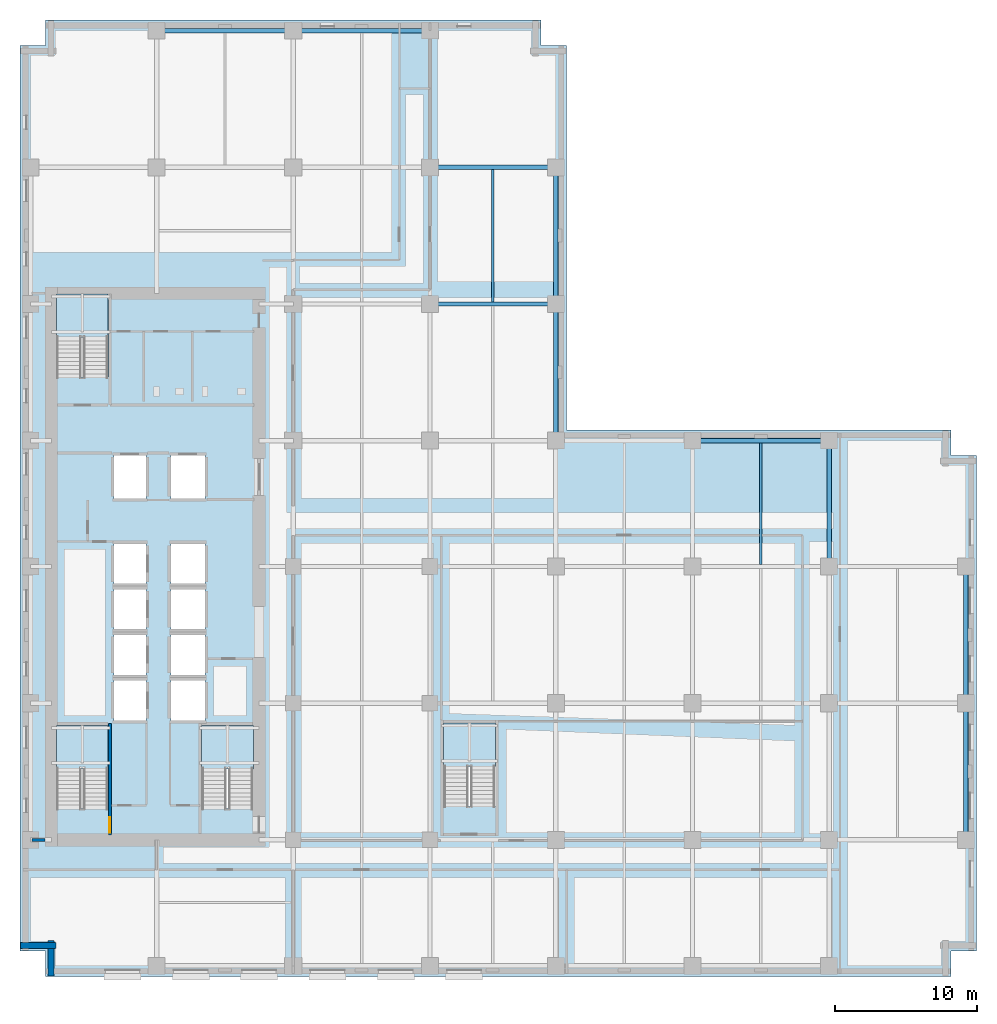
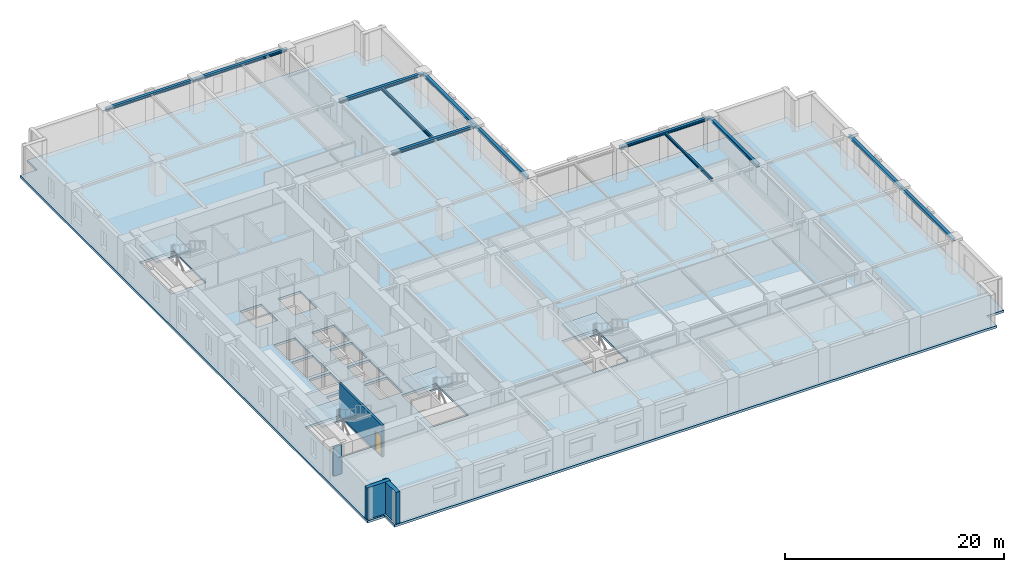
# One storey, part 3 of 14: 12 beams, 5 slabs, 4 walls, 1 door, 1 opening, 4 elements without a shape of their own.
"""IFC4 building model written with IfcOpenShell, lengths in metres."""

from ifc_helpers import new_model, si_unit, direction, frame, frame_2d, origin, origin_2d, place, context, subcontext, project, spatial, polyline, rectangle, i_section, outline, extrude, material, layer, layer_set, material_profile, profile_set, type_object, element, fill, aggregate, save


model = new_model("IFC4")

# Units and contexts
model_context = context("Model", 3, precision=1e-05, world=origin(), true_north=direction((0.0, 1.0)))
body_context = subcontext(model_context, "Body", "Model", "MODEL_VIEW")
ifc_project = project(units=[si_unit("LENGTHUNIT", "METRE"), si_unit("AREAUNIT", "SQUARE_METRE"), si_unit("VOLUMEUNIT", "CUBIC_METRE"), si_unit("PLANEANGLEUNIT", "RADIAN"), si_unit("MASSUNIT", "GRAM", prefix="KILO")], contexts=[model_context])

# Site, building, storey
site_placement = place(None, origin())
site = spatial("IfcSite", under=ifc_project, at=site_placement, CompositionType="ELEMENT")
building_placement = place(site_placement, origin())
building = spatial("IfcBuilding", under=site, at=building_placement, Name="Norrvale University Quadrangle", CompositionType="ELEMENT")
storey_placement = place(building_placement, frame((0.0, 0.0, 50.800048828125)))
storey = spatial("IfcBuildingStorey", under=building, at=storey_placement, Name="L12", CompositionType="ELEMENT", Elevation=50.800048828125)

# Beams
ifc_material_1 = material(Name="Steel 350W", Category="steel")
ifc_material_profile_1 = material_profile(ifc_material_1, i_section(OverallWidth=0.1669921875, OverallDepth=0.31689453125, WebThickness=0.007568359375, FlangeThickness=0.01318359375, FilletRadius=0.010009765625, at=origin_2d()), Name="Steel 350W")
ifc_profile_set_1 = profile_set([ifc_material_profile_1], Name="Steel 350W")
beam_type_1 = type_object("IfcBeamType", Name="Beam Canopy Purlin W310x52", PredefinedType="USERDEFINED", material=ifc_profile_set_1)
beam_1_placement = place(storey_placement, frame((33.22509765625, 47.402587890625, 3.38134765625), z_axis=(0.0, 1.0, 0.0), x_axis=(-1.0, 0.0, 0.0)))
element("IfcBeam", 1, at=beam_1_placement, inside=storey, type_object=beam_type_1, Name="Beam Canopy Purlin W310x52 BM-L12-J091", ObjectType="PURLIN", PredefinedType="USERDEFINED", context=body_context, shape_type="SweptSolid", body=[
    extrude(i_section(OverallWidth=0.1669921875, OverallDepth=0.31689453125, WebThickness=0.007568359375, FlangeThickness=0.01318359375, FilletRadius=0.010009765625, at=origin_2d()), origin(), (0.0, 0.0, 1.0), 9.294921875),
])
beam_2_placement = place(storey_placement, frame((52.050048828125, 28.952392578125, 3.38134765625), z_axis=(0.0, 1.0, 0.0), x_axis=(-1.0, 0.0, 0.0)))
element("IfcBeam", 2, at=beam_2_placement, inside=storey, type_object=beam_type_1, Name="Beam Canopy Purlin W310x52 BM-L12-J099", ObjectType="PURLIN", PredefinedType="USERDEFINED", context=body_context, shape_type="SweptSolid", body=[
    extrude(i_section(OverallWidth=0.1669921875, OverallDepth=0.31689453125, WebThickness=0.007568359375, FlangeThickness=0.01318359375, FilletRadius=0.010009765625, at=origin_2d()), origin(), (0.0, 0.0, 1.0), 8.545166015625),
])
ifc_material_profile_2 = material_profile(ifc_material_1, i_section(OverallWidth=0.304931640625, OverallDepth=0.30810546875, WebThickness=0.010009765625, FlangeThickness=0.015380859375, FilletRadius=0.014892578125, at=origin_2d()), Name="Steel 350W")
ifc_profile_set_2 = profile_set([ifc_material_profile_2], Name="Steel 350W")
beam_type_2 = type_object("IfcBeamType", Name="Beam Canopy W310x97", PredefinedType="BEAM", material=ifc_profile_set_2)
beam_3_placement = place(storey_placement, frame((47.25, 37.64990234375, 3.385986328125), z_axis=(1.0, 0.0, 0.0), x_axis=(0.0, 1.0, 0.0)))
element("IfcBeam", 3, at=beam_3_placement, inside=storey, type_object=beam_type_2, Name="Beam Canopy W310x97 BM-L12-GX024", PredefinedType="BEAM", context=body_context, shape_type="SweptSolid", body=[
    extrude(i_section(OverallWidth=0.304931640625, OverallDepth=0.30810546875, WebThickness=0.010009765625, FlangeThickness=0.015380859375, FilletRadius=0.014892578125, at=origin_2d()), origin(), (0.0, 0.0, 1.0), 9.60009765625),
])
for number, where, z_axis, x_axis, name in (
    (4, (28.800048828125, 47.25, 3.385986328125), (1.0, 0.0, 0.0), (0.0, 1.0, 0.0), "Beam Canopy W310x97 BM-L12-GX026"),
    (5, (28.800048828125, 56.85009765625, 3.385986328125), (1.0, 0.0, 0.0), (0.0, 1.0, 0.0), "Beam Canopy W310x97 BM-L12-GX030"),
):
    element("IfcBeam", number, at=place(storey_placement, frame(where, z_axis=z_axis, x_axis=x_axis)), inside=storey, type_object=beam_type_2, Name=name, PredefinedType="BEAM", context=body_context, shape_type="SweptSolid", body=[
        extrude(i_section(OverallWidth=0.304931640625, OverallDepth=0.30810546875, WebThickness=0.010009765625, FlangeThickness=0.015380859375, FilletRadius=0.014892578125, at=origin_2d()), origin(), (0.0, 0.0, 1.0), 8.849853515625),
    ])
beam_4_placement = place(storey_placement, frame((9.60009765625, 66.449951171875, 3.385986328125), z_axis=(1.0, 0.0, 0.0), x_axis=(0.0, 1.0, 0.0)))
element("IfcBeam", 6, at=beam_4_placement, inside=storey, type_object=beam_type_2, Name="Beam Canopy W310x97 BM-L12-GX031", PredefinedType="BEAM", context=body_context, shape_type="SweptSolid", body=[
    extrude(i_section(OverallWidth=0.304931640625, OverallDepth=0.30810546875, WebThickness=0.010009765625, FlangeThickness=0.015380859375, FilletRadius=0.014892578125, at=origin_2d()), origin(), (0.0, 0.0, 1.0), 9.599853515625),
])
for number, where, z_axis, x_axis, name in (
    (7, (19.199951171875, 66.449951171875, 3.385986328125), (1.0, 0.0, 0.0), (0.0, 1.0, 0.0), "Beam Canopy W310x97 BM-L12-GX032"),
    (8, (37.64990234375, 37.64990234375, 3.385986328125), (0.0, 1.0, 0.0), (-1.0, 0.0, 0.0), "Beam Canopy W310x97 BM-L12-GY057"),
    (9, (37.64990234375, 47.25, 3.385986328125), (0.0, 1.0, 0.0), (-1.0, 0.0, 0.0), "Beam Canopy W310x97 BM-L12-GY058"),
):
    element("IfcBeam", number, at=place(storey_placement, frame(where, z_axis=z_axis, x_axis=x_axis)), inside=storey, type_object=beam_type_2, Name=name, PredefinedType="BEAM", context=body_context, shape_type="SweptSolid", body=[
        extrude(i_section(OverallWidth=0.304931640625, OverallDepth=0.30810546875, WebThickness=0.010009765625, FlangeThickness=0.015380859375, FilletRadius=0.014892578125, at=origin_2d()), origin(), (0.0, 0.0, 1.0), 9.60009765625),
    ])
beam_5_placement = place(storey_placement, frame((56.85009765625, 28.800048828125, 3.385986328125), z_axis=(0.0, 1.0, 0.0), x_axis=(-1.0, 0.0, 0.0)))
element("IfcBeam", 10, at=beam_5_placement, inside=storey, type_object=beam_type_2, Name="Beam Canopy W310x97 BM-L12-GY066", PredefinedType="BEAM", context=body_context, shape_type="SweptSolid", body=[
    extrude(i_section(OverallWidth=0.304931640625, OverallDepth=0.30810546875, WebThickness=0.010009765625, FlangeThickness=0.015380859375, FilletRadius=0.014892578125, at=origin_2d()), origin(), (0.0, 0.0, 1.0), 8.849853515625),
])
beam_6_placement = place(storey_placement, frame((66.449951171875, 9.60009765625, 3.385986328125), z_axis=(0.0, 1.0, 0.0), x_axis=(-1.0, 0.0, 0.0)))
element("IfcBeam", 11, at=beam_6_placement, inside=storey, type_object=beam_type_2, Name="Beam Canopy W310x97 BM-L12-GY067", PredefinedType="BEAM", context=body_context, shape_type="SweptSolid", body=[
    extrude(i_section(OverallWidth=0.304931640625, OverallDepth=0.30810546875, WebThickness=0.010009765625, FlangeThickness=0.015380859375, FilletRadius=0.014892578125, at=origin_2d()), origin(), (0.0, 0.0, 1.0), 9.599853515625),
])
beam_7_placement = place(storey_placement, frame((66.449951171875, 19.199951171875, 3.385986328125), z_axis=(0.0, 1.0, 0.0), x_axis=(-1.0, 0.0, 0.0)))
element("IfcBeam", 12, at=beam_7_placement, inside=storey, type_object=beam_type_2, Name="Beam Canopy W310x97 BM-L12-GY068", PredefinedType="BEAM", context=body_context, shape_type="SweptSolid", body=[
    extrude(i_section(OverallWidth=0.304931640625, OverallDepth=0.30810546875, WebThickness=0.010009765625, FlangeThickness=0.015380859375, FilletRadius=0.014892578125, at=origin_2d()), origin(), (0.0, 0.0, 1.0), 9.60009765625),
])

# Stair, slab
ifc_material_2 = material(Name="Concrete C40/50", Category="concrete")
stair_type = type_object("IfcStairType", Name="Stair Tower Typ 3800", PredefinedType="TWO_STRAIGHT_RUN_STAIR", material=ifc_material_2)
stair_1_placement = place(storey_placement, origin())
stair_1 = element("IfcStair", 13, at=stair_1_placement, inside=storey, type_object=stair_type, Name="Exit Stair ST-01 L12", PredefinedType="TWO_STRAIGHT_RUN_STAIR")
ifc_layer_1 = layer(ifc_material_2, 0.199951171875, Name="Concrete C40/50")
ifc_layer_set_1 = layer_set([ifc_layer_1], Name="Concrete C40/50")
slab_type_1 = type_object("IfcSlabType", Name="Slab Landing 200", PredefinedType="LANDING", material=ifc_layer_set_1)
slab_1_placement = place(storey_placement, frame((0.0, 0.0, 1.699951171875)))
slab_1 = element("IfcSlab", 14, at=slab_1_placement, type_object=slab_type_1, Name="Exit Stair ST-01 L12 Mid Landing", PredefinedType="LANDING", context=body_context, shape_type="SweptSolid", body=[
    extrude(outline(polyline([(2.550048828125, 14.590087890625), (6.199951171875, 14.590087890625), (6.199951171875, 17.64990234375), (2.550048828125, 17.64990234375), (2.550048828125, 14.590087890625)])), origin(), (0.0, 0.0, 1.0), 0.199951171875),
])
aggregate(stair_1, [slab_1])

stair_2_placement = place(storey_placement, origin())
stair_2 = element("IfcStair", 15, at=stair_2_placement, inside=storey, type_object=stair_type, Name="Exit Stair ST-02 L12", PredefinedType="TWO_STRAIGHT_RUN_STAIR")
slab_2_placement = place(storey_placement, frame((0.0, 0.0, 1.699951171875)))
slab_2 = element("IfcSlab", 16, at=slab_2_placement, type_object=slab_type_1, Name="Exit Stair ST-02 L12 Mid Landing", PredefinedType="LANDING", context=body_context, shape_type="SweptSolid", body=[
    extrude(outline(polyline([(2.550048828125, 44.889892578125), (6.199951171875, 44.889892578125), (6.199951171875, 47.949951171875), (2.550048828125, 47.949951171875), (2.550048828125, 44.889892578125)])), origin(), (0.0, 0.0, 1.0), 0.199951171875),
])
aggregate(stair_2, [slab_2])

stair_3_placement = place(storey_placement, origin())
stair_3 = element("IfcStair", 17, at=stair_3_placement, inside=storey, type_object=stair_type, Name="Exit Stair ST-03 L12", PredefinedType="TWO_STRAIGHT_RUN_STAIR")
slab_3_placement = place(storey_placement, frame((0.0, 0.0, 1.699951171875)))
slab_3 = element("IfcSlab", 18, at=slab_3_placement, type_object=slab_type_1, Name="Exit Stair ST-03 L12 Mid Landing", PredefinedType="LANDING", context=body_context, shape_type="SweptSolid", body=[
    extrude(outline(polyline([(12.75, 14.590087890625), (16.39990234375, 14.590087890625), (16.39990234375, 17.64990234375), (12.75, 17.64990234375), (12.75, 14.590087890625)])), origin(), (0.0, 0.0, 1.0), 0.199951171875),
])
aggregate(stair_3, [slab_3])

stair_4_placement = place(storey_placement, origin())
stair_4 = element("IfcStair", 19, at=stair_4_placement, inside=storey, type_object=stair_type, Name="Exit Stair ST-04 L12", PredefinedType="TWO_STRAIGHT_RUN_STAIR")
slab_4_placement = place(storey_placement, frame((0.0, 0.0, 1.699951171875)))
slab_4 = element("IfcSlab", 20, at=slab_4_placement, type_object=slab_type_1, Name="Exit Stair ST-04 L12 Mid Landing", PredefinedType="LANDING", context=body_context, shape_type="SweptSolid", body=[
    extrude(outline(polyline([(29.75, 14.739990234375), (33.39990234375, 14.739990234375), (33.39990234375, 17.800048828125), (29.75, 17.800048828125), (29.75, 14.739990234375)])), origin(), (0.0, 0.0, 1.0), 0.199951171875),
])
aggregate(stair_4, [slab_4])

# Slab
ifc_layer_2 = layer(ifc_material_2, 0.260009765625, Name="Concrete C40/50")
ifc_layer_set_2 = layer_set([ifc_layer_2], Name="Concrete C40/50")
slab_type_2 = type_object("IfcSlabType", Name="Slab Tower Typ 260", PredefinedType="FLOOR", material=ifc_layer_set_2)
slab_5_placement = place(storey_placement, frame((0.0, 0.0, -0.260009765625)))
element("IfcSlab", 21, at=slab_5_placement, inside=storey, type_object=slab_type_2, Name="Tower L12 Floor Slab", PredefinedType="FLOOR", context=body_context, shape_type="SweptSolid", body=[
    extrude(outline(polyline([(1.800048828125, 0.0), (65.39990234375, 0.0), (65.39990234375, 1.800048828125), (67.199951171875, 1.800048828125), (67.199951171875, 36.60009765625), (65.39990234375, 36.60009765625), (65.39990234375, 38.39990234375), (38.39990234375, 38.39990234375), (38.39990234375, 65.39990234375), (36.60009765625, 65.39990234375), (36.60009765625, 67.199951171875), (1.800048828125, 67.199951171875), (1.800048828125, 65.39990234375), (0.0, 65.39990234375), (0.0, 1.800048828125), (1.800048828125, 1.800048828125), (1.800048828125, 0.0)]), holes=[polyline([(2.550048828125, 11.81005859375), (6.199951171875, 11.81005859375), (6.199951171875, 17.64990234375), (2.550048828125, 17.64990234375), (2.550048828125, 11.81005859375)]), polyline([(2.550048828125, 42.110107421875), (6.199951171875, 42.110107421875), (6.199951171875, 47.949951171875), (2.550048828125, 47.949951171875), (2.550048828125, 42.110107421875)]), polyline([(12.75, 11.81005859375), (16.39990234375, 11.81005859375), (16.39990234375, 17.64990234375), (12.75, 17.64990234375), (12.75, 11.81005859375)]), polyline([(29.75, 11.9599609375), (33.39990234375, 11.9599609375), (33.39990234375, 17.800048828125), (29.75, 17.800048828125), (29.75, 11.9599609375)]), polyline([(6.60009765625, 18.0), (8.85009765625, 18.0), (8.85009765625, 20.800048828125), (6.60009765625, 20.800048828125), (6.60009765625, 18.0)]), polyline([(6.60009765625, 21.199951171875), (8.85009765625, 21.199951171875), (8.85009765625, 24.0), (6.60009765625, 24.0), (6.60009765625, 21.199951171875)]), polyline([(6.60009765625, 24.39990234375), (8.85009765625, 24.39990234375), (8.85009765625, 27.199951171875), (6.60009765625, 27.199951171875), (6.60009765625, 24.39990234375)]), polyline([(6.60009765625, 27.60009765625), (8.85009765625, 27.60009765625), (8.85009765625, 30.39990234375), (6.60009765625, 30.39990234375), (6.60009765625, 27.60009765625)]), polyline([(10.60009765625, 18.0), (13.0, 18.0), (13.0, 20.800048828125), (10.60009765625, 20.800048828125), (10.60009765625, 18.0)]), polyline([(10.60009765625, 21.199951171875), (13.0, 21.199951171875), (13.0, 24.0), (10.60009765625, 24.0), (10.60009765625, 21.199951171875)]), polyline([(10.60009765625, 24.39990234375), (13.0, 24.39990234375), (13.0, 27.199951171875), (10.60009765625, 27.199951171875), (10.60009765625, 24.39990234375)]), polyline([(10.60009765625, 27.60009765625), (13.0, 27.60009765625), (13.0, 30.39990234375), (10.60009765625, 30.39990234375), (10.60009765625, 27.60009765625)]), polyline([(6.60009765625, 33.60009765625), (8.85009765625, 33.60009765625), (8.85009765625, 36.60009765625), (6.60009765625, 36.60009765625), (6.60009765625, 33.60009765625)]), polyline([(10.60009765625, 33.60009765625), (13.0, 33.60009765625), (13.0, 36.60009765625), (10.60009765625, 36.60009765625), (10.60009765625, 33.60009765625)])]), origin(), (0.0, 0.0, 1.0), 0.260009765625),
])

# Walls
ifc_material_3 = material(Name="Concrete Blockwork 20 MPa Rated Wall", Category="masonry")
ifc_layer_3 = layer(ifc_material_3, 0.199951171875, Name="Concrete Blockwork 20 MPa Rated Wall")
ifc_layer_set_3 = layer_set([ifc_layer_3], Name="Concrete Blockwork 20 MPa Rated Wall")
wall_type_1 = type_object("IfcWallType", Name="Wall Lobby 200", PredefinedType="SOLIDWALL", material=ifc_layer_set_3)
wall_1_placement = place(storey_placement, frame((0.85009765625, 9.60009765625, 0.0), z_axis=(0.0, 0.0, 1.0), x_axis=(1.0, 0.0, 0.0)))
element("IfcWall", 22, at=wall_1_placement, inside=storey, type_object=wall_type_1, Name="Interior Partition WL-L12-CWRET-S", PredefinedType="SOLIDWALL", context=body_context, shape_type="SweptSolid", body=[
    extrude(rectangle(XDim=0.89501953125, YDim=0.199951171875, at=frame_2d((0.447509765625, 0.0))), origin(), (0.0, 0.0, 1.0), 3.23193359375),
])
ifc_material_4 = material(Name="Red Manganese Brick Masonry", Category="masonry")
ifc_layer_4 = layer(ifc_material_4, 0.39990234375, Name="Red Manganese Brick Masonry")
ifc_layer_set_4 = layer_set([ifc_layer_4], Name="Red Manganese Brick Masonry")
wall_type_2 = type_object("IfcWallType", Name="Wall Red Brick 400", PredefinedType="SOLIDWALL", material=ifc_layer_set_4)
for number, where, z_axis, x_axis, name in (
    (23, (0.0400390625, 2.179931640625, 0.0), (0.0, 0.0, 1.0), (1.0, 0.0, 0.0), "Exterior Brick Facade Wall L12-15.1"),
    (24, (2.179931640625, 2.52001953125, 0.0), (0.0, 0.0, 1.0), (0.0, -1.0, 0.0), "Exterior Brick Facade Wall L12-16.1"),
):
    element("IfcWall", number, at=place(storey_placement, frame(where, z_axis=z_axis, x_axis=x_axis)), inside=storey, type_object=wall_type_2, Name=name, PredefinedType="SOLIDWALL", context=body_context, shape_type="SweptSolid", body=[
        extrude(rectangle(XDim=2.47998046875, YDim=0.39990234375, at=frame_2d((1.239990234375, 0.0))), origin(), (0.0, 0.0, 1.0), 3.5400390625),
    ])

# Wall, opening, door
ifc_material_5 = material(Name="Concrete Blockwork 20 MPa Fire Shaft", Category="masonry")
ifc_layer_5 = layer(ifc_material_5, 0.219970703125, Name="Concrete Blockwork 20 MPa Fire Shaft")
ifc_layer_set_5 = layer_set([ifc_layer_5], Name="Concrete Blockwork 20 MPa Fire Shaft")
wall_type_3 = type_object("IfcWallType", Name="Wall Shaft 220", PredefinedType="SOLIDWALL", material=ifc_layer_set_5)
wall_2_placement = place(storey_placement, frame((6.31005859375, 9.949951171875, 0.0), z_axis=(0.0, 0.0, 1.0), x_axis=(0.0, 1.0, 0.0)))
wall_2 = element("IfcWall", 25, at=wall_2_placement, inside=storey, type_object=wall_type_3, Name="Stair ST-01 East Shaft Wall L12", PredefinedType="SOLIDWALL", context=body_context, shape_type="SweptSolid", body=[
    extrude(rectangle(XDim=7.81005859375, YDim=0.219970703125, at=frame_2d((3.905029296875, 0.0))), origin(), (0.0, 0.0, 1.0), 3.5400390625),
])
opening_placement = place(wall_2_placement, frame((0.139892578125, 0.0, 0.0)))
opening = element("IfcOpeningElement", 26, at=opening_placement, cuts=wall_2, Name="Opening D02", PredefinedType="OPENING", context=body_context, shape_type="SweptSolid", body=[
    extrude(rectangle(XDim=1.10009765625, YDim=2.199951171875, at=frame_2d((0.550048828125, 1.10009765625))), frame((0.0, 0.1220703125, 0.0), z_axis=(0.0, -1.0, 0.0), x_axis=(1.0, 0.0, 0.0)), (0.0, 0.0, 1.0), 0.243896484375),
])
ifc_material_6 = material(Name="Hollow Steel 350W Fire Door", Category="steel")
door_type = type_object("IfcDoorType", Name="Door Stair Exit 1100x2200", OperationType="NOTDEFINED", PredefinedType="DOOR", material=ifc_material_6)
door_placement = place(opening_placement, origin())
door = element("IfcDoor", 27, at=door_placement, inside=storey, type_object=door_type, Name="Door Stair Exit 1100x2200 DR-L12-ST01", OperationType="SINGLE_SWING_LEFT", OverallHeight=2.199951171875, OverallWidth=1.10009765625, PredefinedType="DOOR", context=body_context, shape_type="SweptSolid", body=[
    extrude(rectangle(XDim=1.10009765625, YDim=2.199951171875, at=frame_2d((0.550048828125, 1.10009765625))), frame((0.0, 0.02490234375, 0.0), z_axis=(0.0, -1.0, 0.0), x_axis=(1.0, 0.0, 0.0)), (0.0, 0.0, 1.0), 0.050048828125),
])
fill(opening, door)

save(model, "model.ifc")
